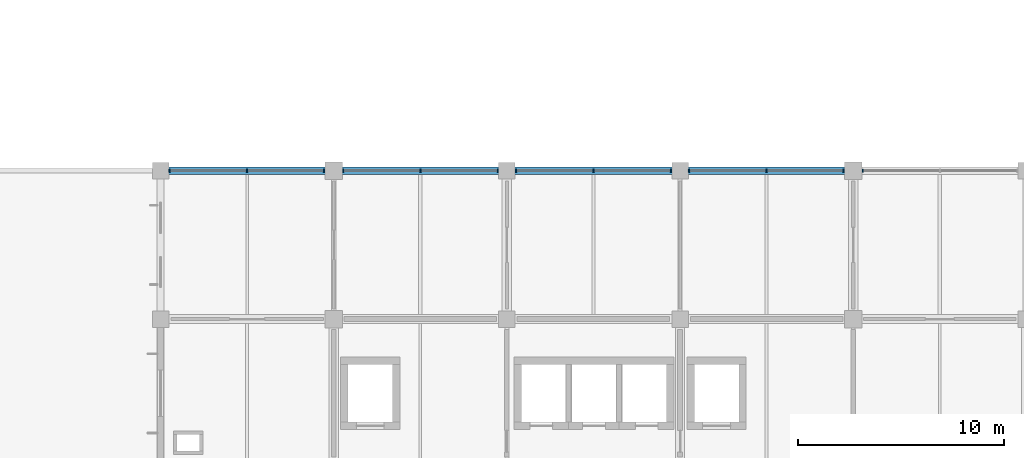
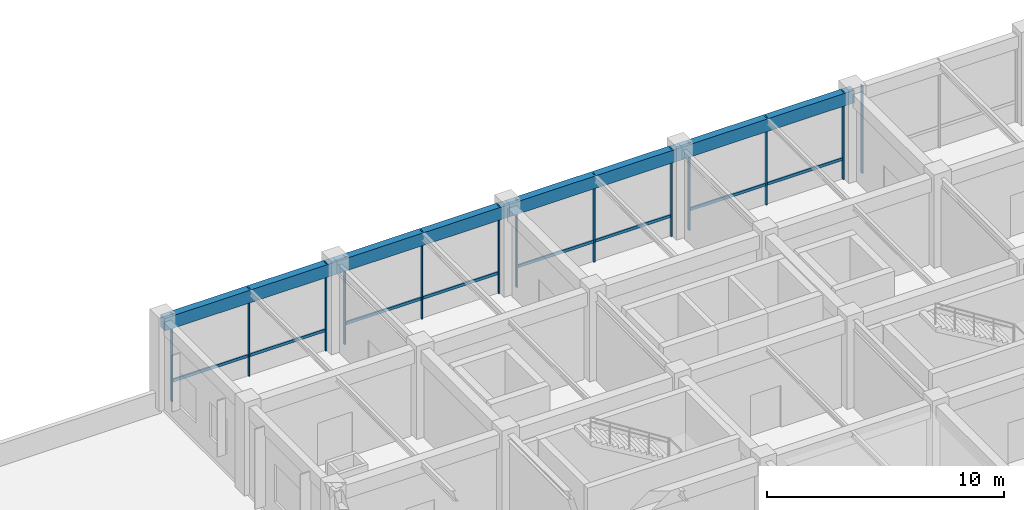
# One storey, part 34 of 45: 21 members, 4 beams, 5 elements without a shape of their own.
"""IFC4 building model written with IfcOpenShell, lengths in metres."""

from ifc_helpers import new_model, si_unit, derived_unit, direction, frame, origin, origin_2d, place, context, subcontext, project, spatial, rectangle, extrude, material, material_profile, profile_set, type_object, element, aggregate, save


model = new_model("IFC4")

# Units and contexts
model_context = context("Model", 3, precision=1e-05, world=origin(), true_north=direction((0.0, 1.0)))
body_context = subcontext(model_context, "Body", "Model", "MODEL_VIEW")
ifc_project = project(units=[si_unit("LENGTHUNIT", "METRE"), si_unit("AREAUNIT", "SQUARE_METRE"), si_unit("VOLUMEUNIT", "CUBIC_METRE"), si_unit("PLANEANGLEUNIT", "RADIAN"), si_unit("MASSUNIT", "GRAM", prefix="KILO"), derived_unit("THERMALTRANSMITTANCEUNIT", [(si_unit("MASSUNIT", "GRAM", prefix="KILO"), 1), (si_unit("TIMEUNIT", "SECOND"), -3), (si_unit("THERMODYNAMICTEMPERATUREUNIT", "KELVIN"), -1)])], contexts=[model_context])

# Site, building, storey
site_placement = place(None, origin())
site = spatial("IfcSite", under=ifc_project, at=site_placement, CompositionType="ELEMENT")
building_placement = place(site_placement, origin())
building = spatial("IfcBuilding", under=site, at=building_placement, Name="Veldstrom Oceanarium and Marine Research Institute", CompositionType="ELEMENT")
storey_placement = place(building_placement, frame((0.0, 0.0, 22.199951171875)))
storey = spatial("IfcBuildingStorey", under=building, at=storey_placement, Name="L04", CompositionType="ELEMENT", Elevation=22.199951171875)

# Curtain wall, members
ifc_material_1 = material(Name="Anodised Aluminium Framing", Category="aluminium")
curtain_wall_type = type_object("IfcCurtainWallType", Name="ARC-CW-CW03", PredefinedType="USERDEFINED", material=ifc_material_1)
curtain_wall_1_placement = place(storey_placement, origin())
curtain_wall_1 = element("IfcCurtainWall", 1, at=curtain_wall_1_placement, inside=storey, type_object=curtain_wall_type, Name="Curtain Wall CW03 CW-L04-079", ObjectType="Curtain wall", PredefinedType="USERDEFINED")
ifc_material_2 = material(Name="Anodised Aluminium Framing", Category="aluminium")
ifc_material_profile_1 = material_profile(ifc_material_2, rectangle(XDim=0.06494140625, YDim=0.14990234375, at=origin_2d()), Name="ALU-MUL-65x150")
ifc_profile_set_1 = profile_set([ifc_material_profile_1], Name="Anodised Aluminium Framing")
member_type_1 = type_object("IfcMemberType", Name="ARC-MUL-ML2", PredefinedType="MULLION", material=ifc_profile_set_1)
member_1_placement = place(storey_placement, frame((67.639892578125, 72.0, 0.0), z_axis=(0.0, 0.0, 1.0), x_axis=(1.0, 0.0, 0.0)))
member_1 = element("IfcMember", 2, at=member_1_placement, type_object=member_type_1, Name="Curtain Wall Mullion CW-L04-079-MUL-1", PredefinedType="MULLION", context=body_context, shape_type="SweptSolid", body=[
    extrude(rectangle(XDim=0.06494140625, YDim=0.14990234375, at=origin_2d()), origin(), (0.0, 0.0, 1.0), 4.52001953125),
])
member_2_placement = place(storey_placement, frame((71.387451171875, 72.0, 0.0), z_axis=(0.0, 0.0, 1.0), x_axis=(1.0, 0.0, 0.0)))
member_2 = element("IfcMember", 3, at=member_2_placement, type_object=member_type_1, Name="Curtain Wall Mullion CW-L04-079-MUL-2", PredefinedType="MULLION", context=body_context, shape_type="SweptSolid", body=[
    extrude(rectangle(XDim=0.06494140625, YDim=0.14990234375, at=origin_2d()), origin(), (0.0, 0.0, 1.0), 4.52001953125),
])
member_3_placement = place(storey_placement, frame((75.135009765625, 72.0, 0.0), z_axis=(0.0, 0.0, 1.0), x_axis=(1.0, 0.0, 0.0)))
member_3 = element("IfcMember", 4, at=member_3_placement, type_object=member_type_1, Name="Curtain Wall Mullion CW-L04-079-MUL-3", PredefinedType="MULLION", context=body_context, shape_type="SweptSolid", body=[
    extrude(rectangle(XDim=0.06494140625, YDim=0.14990234375, at=origin_2d()), origin(), (0.0, 0.0, 1.0), 4.52001953125),
])

curtain_wall_2_placement = place(storey_placement, origin())
curtain_wall_2 = element("IfcCurtainWall", 5, at=curtain_wall_2_placement, inside=storey, type_object=curtain_wall_type, Name="Curtain Wall CW03 CW-L04-081", ObjectType="Curtain wall", PredefinedType="USERDEFINED")
member_4_placement = place(storey_placement, frame((76.06494140625, 72.0, 0.0), z_axis=(0.0, 0.0, 1.0), x_axis=(1.0, 0.0, 0.0)))
member_4 = element("IfcMember", 6, at=member_4_placement, type_object=member_type_1, Name="Curtain Wall Mullion CW-L04-081-MUL-1", PredefinedType="MULLION", context=body_context, shape_type="SweptSolid", body=[
    extrude(rectangle(XDim=0.06494140625, YDim=0.14990234375, at=origin_2d()), origin(), (0.0, 0.0, 1.0), 4.52001953125),
])
member_5_placement = place(storey_placement, frame((79.8125, 72.0, 0.0), z_axis=(0.0, 0.0, 1.0), x_axis=(1.0, 0.0, 0.0)))
member_5 = element("IfcMember", 7, at=member_5_placement, type_object=member_type_1, Name="Curtain Wall Mullion CW-L04-081-MUL-2", PredefinedType="MULLION", context=body_context, shape_type="SweptSolid", body=[
    extrude(rectangle(XDim=0.06494140625, YDim=0.14990234375, at=origin_2d()), origin(), (0.0, 0.0, 1.0), 4.52001953125),
])
member_6_placement = place(storey_placement, frame((83.56005859375, 72.0, 0.0), z_axis=(0.0, 0.0, 1.0), x_axis=(1.0, 0.0, 0.0)))
member_6 = element("IfcMember", 8, at=member_6_placement, type_object=member_type_1, Name="Curtain Wall Mullion CW-L04-081-MUL-3", PredefinedType="MULLION", context=body_context, shape_type="SweptSolid", body=[
    extrude(rectangle(XDim=0.06494140625, YDim=0.14990234375, at=origin_2d()), origin(), (0.0, 0.0, 1.0), 4.52001953125),
])

curtain_wall_3_placement = place(storey_placement, origin())
curtain_wall_3 = element("IfcCurtainWall", 9, at=curtain_wall_3_placement, inside=storey, type_object=curtain_wall_type, Name="Curtain Wall CW03 CW-L04-083", ObjectType="Curtain wall", PredefinedType="USERDEFINED")
member_7_placement = place(storey_placement, frame((84.43994140625, 72.0, 0.0), z_axis=(0.0, 0.0, 1.0), x_axis=(1.0, 0.0, 0.0)))
member_7 = element("IfcMember", 10, at=member_7_placement, type_object=member_type_1, Name="Curtain Wall Mullion CW-L04-083-MUL-1", PredefinedType="MULLION", context=body_context, shape_type="SweptSolid", body=[
    extrude(rectangle(XDim=0.06494140625, YDim=0.14990234375, at=origin_2d()), origin(), (0.0, 0.0, 1.0), 4.52001953125),
])
member_8_placement = place(storey_placement, frame((88.199951171875, 72.0, 0.0), z_axis=(0.0, 0.0, 1.0), x_axis=(1.0, 0.0, 0.0)))
member_8 = element("IfcMember", 11, at=member_8_placement, type_object=member_type_1, Name="Curtain Wall Mullion CW-L04-083-MUL-2", PredefinedType="MULLION", context=body_context, shape_type="SweptSolid", body=[
    extrude(rectangle(XDim=0.06494140625, YDim=0.14990234375, at=origin_2d()), origin(), (0.0, 0.0, 1.0), 4.52001953125),
])
member_9_placement = place(storey_placement, frame((91.9599609375, 72.0, 0.0), z_axis=(0.0, 0.0, 1.0), x_axis=(1.0, 0.0, 0.0)))
member_9 = element("IfcMember", 12, at=member_9_placement, type_object=member_type_1, Name="Curtain Wall Mullion CW-L04-083-MUL-3", PredefinedType="MULLION", context=body_context, shape_type="SweptSolid", body=[
    extrude(rectangle(XDim=0.06494140625, YDim=0.14990234375, at=origin_2d()), origin(), (0.0, 0.0, 1.0), 4.52001953125),
])

curtain_wall_4_placement = place(storey_placement, origin())
curtain_wall_4 = element("IfcCurtainWall", 13, at=curtain_wall_4_placement, inside=storey, type_object=curtain_wall_type, Name="Curtain Wall CW03 CW-L04-085", ObjectType="Curtain wall", PredefinedType="USERDEFINED")
member_10_placement = place(storey_placement, frame((92.840087890625, 72.0, 0.0), z_axis=(0.0, 0.0, 1.0), x_axis=(1.0, 0.0, 0.0)))
member_10 = element("IfcMember", 14, at=member_10_placement, type_object=member_type_1, Name="Curtain Wall Mullion CW-L04-085-MUL-1", PredefinedType="MULLION", context=body_context, shape_type="SweptSolid", body=[
    extrude(rectangle(XDim=0.06494140625, YDim=0.14990234375, at=origin_2d()), origin(), (0.0, 0.0, 1.0), 4.52001953125),
])
member_11_placement = place(storey_placement, frame((96.58740234375, 72.0, 0.0), z_axis=(0.0, 0.0, 1.0), x_axis=(1.0, 0.0, 0.0)))
member_11 = element("IfcMember", 15, at=member_11_placement, type_object=member_type_1, Name="Curtain Wall Mullion CW-L04-085-MUL-2", PredefinedType="MULLION", context=body_context, shape_type="SweptSolid", body=[
    extrude(rectangle(XDim=0.06494140625, YDim=0.14990234375, at=origin_2d()), origin(), (0.0, 0.0, 1.0), 4.52001953125),
])
member_12_placement = place(storey_placement, frame((100.3349609375, 72.0, 0.0), z_axis=(0.0, 0.0, 1.0), x_axis=(1.0, 0.0, 0.0)))
member_12 = element("IfcMember", 16, at=member_12_placement, type_object=member_type_1, Name="Curtain Wall Mullion CW-L04-085-MUL-3", PredefinedType="MULLION", context=body_context, shape_type="SweptSolid", body=[
    extrude(rectangle(XDim=0.06494140625, YDim=0.14990234375, at=origin_2d()), origin(), (0.0, 0.0, 1.0), 4.52001953125),
])

# Curtain wall, member
curtain_wall_5_placement = place(storey_placement, origin())
curtain_wall_5 = element("IfcCurtainWall", 17, at=curtain_wall_5_placement, inside=storey, type_object=curtain_wall_type, Name="Curtain Wall CW03 CW-L04-087", ObjectType="Curtain wall", PredefinedType="USERDEFINED")
member_13_placement = place(storey_placement, frame((101.264892578125, 72.0, 0.0), z_axis=(0.0, 0.0, 1.0), x_axis=(1.0, 0.0, 0.0)))
member_13 = element("IfcMember", 18, at=member_13_placement, type_object=member_type_1, Name="Curtain Wall Mullion CW-L04-087-MUL-1", PredefinedType="MULLION", context=body_context, shape_type="SweptSolid", body=[
    extrude(rectangle(XDim=0.06494140625, YDim=0.14990234375, at=origin_2d()), origin(), (0.0, 0.0, 1.0), 4.52001953125),
])
aggregate(curtain_wall_5, [member_13])

# Member
ifc_material_3 = material(Name="Anodised Aluminium Framing", Category="aluminium")
ifc_material_profile_2 = material_profile(ifc_material_3, rectangle(XDim=0.074951171875, YDim=0.14990234375, at=origin_2d()), Name="ALU-TRN-75x150")
ifc_profile_set_2 = profile_set([ifc_material_profile_2], Name="Anodised Aluminium Framing")
member_type_2 = type_object("IfcMemberType", Name="ARC-TRN-TR1", PredefinedType="USERDEFINED", material=ifc_profile_set_2)
member_14_placement = place(storey_placement, frame((67.679931640625, 72.0, 1.050048828125), z_axis=(1.0, 0.0, 0.0), x_axis=(0.0, 1.0, 0.0)))
member_14 = element("IfcMember", 19, at=member_14_placement, type_object=member_type_2, Name="Curtain Wall Transom CW-L04-079-TRN-1", ObjectType="Transom", PredefinedType="USERDEFINED", context=body_context, shape_type="SweptSolid", body=[
    extrude(rectangle(XDim=0.074951171875, YDim=0.14990234375, at=origin_2d()), origin(), (0.0, 0.0, 1.0), 3.66748046875),
])

member_15_placement = place(storey_placement, frame((71.427490234375, 72.0, 1.050048828125), z_axis=(1.0, 0.0, 0.0), x_axis=(0.0, 1.0, 0.0)))
member_15 = element("IfcMember", 20, at=member_15_placement, type_object=member_type_2, Name="Curtain Wall Transom CW-L04-079-TRN-2", ObjectType="Transom", PredefinedType="USERDEFINED", context=body_context, shape_type="SweptSolid", body=[
    extrude(rectangle(XDim=0.074951171875, YDim=0.14990234375, at=origin_2d()), origin(), (0.0, 0.0, 1.0), 3.66748046875),
])

aggregate(curtain_wall_1, [member_1, member_2, member_3, member_14, member_15])

member_16_placement = place(storey_placement, frame((76.10498046875, 72.0, 1.050048828125), z_axis=(1.0, 0.0, 0.0), x_axis=(0.0, 1.0, 0.0)))
member_16 = element("IfcMember", 21, at=member_16_placement, type_object=member_type_2, Name="Curtain Wall Transom CW-L04-081-TRN-1", ObjectType="Transom", PredefinedType="USERDEFINED", context=body_context, shape_type="SweptSolid", body=[
    extrude(rectangle(XDim=0.074951171875, YDim=0.14990234375, at=origin_2d()), origin(), (0.0, 0.0, 1.0), 3.66748046875),
])

member_17_placement = place(storey_placement, frame((79.8525390625, 72.0, 1.050048828125), z_axis=(1.0, 0.0, 0.0), x_axis=(0.0, 1.0, 0.0)))
member_17 = element("IfcMember", 22, at=member_17_placement, type_object=member_type_2, Name="Curtain Wall Transom CW-L04-081-TRN-2", ObjectType="Transom", PredefinedType="USERDEFINED", context=body_context, shape_type="SweptSolid", body=[
    extrude(rectangle(XDim=0.074951171875, YDim=0.14990234375, at=origin_2d()), origin(), (0.0, 0.0, 1.0), 3.66748046875),
])

aggregate(curtain_wall_2, [member_4, member_5, member_6, member_16, member_17])

member_18_placement = place(storey_placement, frame((84.47998046875, 72.0, 1.050048828125), z_axis=(1.0, 0.0, 0.0), x_axis=(0.0, 1.0, 0.0)))
member_18 = element("IfcMember", 23, at=member_18_placement, type_object=member_type_2, Name="Curtain Wall Transom CW-L04-083-TRN-1", ObjectType="Transom", PredefinedType="USERDEFINED", context=body_context, shape_type="SweptSolid", body=[
    extrude(rectangle(XDim=0.074951171875, YDim=0.14990234375, at=origin_2d()), origin(), (0.0, 0.0, 1.0), 3.679931640625),
])

member_19_placement = place(storey_placement, frame((88.239990234375, 72.0, 1.050048828125), z_axis=(1.0, 0.0, 0.0), x_axis=(0.0, 1.0, 0.0)))
member_19 = element("IfcMember", 24, at=member_19_placement, type_object=member_type_2, Name="Curtain Wall Transom CW-L04-083-TRN-2", ObjectType="Transom", PredefinedType="USERDEFINED", context=body_context, shape_type="SweptSolid", body=[
    extrude(rectangle(XDim=0.074951171875, YDim=0.14990234375, at=origin_2d()), origin(), (0.0, 0.0, 1.0), 3.679931640625),
])

aggregate(curtain_wall_3, [member_7, member_8, member_9, member_18, member_19])

member_20_placement = place(storey_placement, frame((92.8798828125, 72.0, 1.050048828125), z_axis=(1.0, 0.0, 0.0), x_axis=(0.0, 1.0, 0.0)))
member_20 = element("IfcMember", 25, at=member_20_placement, type_object=member_type_2, Name="Curtain Wall Transom CW-L04-085-TRN-1", ObjectType="Transom", PredefinedType="USERDEFINED", context=body_context, shape_type="SweptSolid", body=[
    extrude(rectangle(XDim=0.074951171875, YDim=0.14990234375, at=origin_2d()), origin(), (0.0, 0.0, 1.0), 3.667724609375),
])

member_21_placement = place(storey_placement, frame((96.62744140625, 72.0, 1.050048828125), z_axis=(1.0, 0.0, 0.0), x_axis=(0.0, 1.0, 0.0)))
member_21 = element("IfcMember", 26, at=member_21_placement, type_object=member_type_2, Name="Curtain Wall Transom CW-L04-085-TRN-2", ObjectType="Transom", PredefinedType="USERDEFINED", context=body_context, shape_type="SweptSolid", body=[
    extrude(rectangle(XDim=0.074951171875, YDim=0.14990234375, at=origin_2d()), origin(), (0.0, 0.0, 1.0), 3.66748046875),
])

aggregate(curtain_wall_4, [member_10, member_11, member_12, member_20, member_21])

# Beams
ifc_material_4 = material(Name="Concrete C40/50", Category="concrete")
ifc_material_profile_3 = material_profile(ifc_material_4, rectangle(XDim=0.35009765625, YDim=0.64990234375, at=origin_2d()), Name="RC-SPN-350x650")
ifc_profile_set_3 = profile_set([ifc_material_profile_3], Name="Concrete C40/50")
beam_type = type_object("IfcBeamType", Name="STR-SPN-SP1", PredefinedType="SPANDREL", material=ifc_profile_set_3)
beam_1_placement = place(storey_placement, frame((67.199951171875, 72.0, 4.18994140625), z_axis=(1.0, 0.0, 0.0), x_axis=(0.0, 1.0, 0.0)))
element("IfcBeam", 27, at=beam_1_placement, inside=storey, type_object=beam_type, Name="Perimeter Spandrel SPB1 L04-2099", PredefinedType="SPANDREL", context=body_context, shape_type="SweptSolid", body=[
    extrude(rectangle(XDim=0.35009765625, YDim=0.64990234375, at=origin_2d()), origin(), (0.0, 0.0, 1.0), 8.400146484375),
])
for number, where, z_axis, x_axis, name in (
    (28, (75.60009765625, 72.0, 4.18994140625), (1.0, 0.0, 0.0), (0.0, 1.0, 0.0), "Perimeter Spandrel SPB1 L04-2104"),
    (29, (84.0, 72.0, 4.18994140625), (1.0, 0.0, 0.0), (0.0, 1.0, 0.0), "Perimeter Spandrel SPB1 L04-2109"),
):
    element("IfcBeam", number, at=place(storey_placement, frame(where, z_axis=z_axis, x_axis=x_axis)), inside=storey, type_object=beam_type, Name=name, PredefinedType="SPANDREL", context=body_context, shape_type="SweptSolid", body=[
        extrude(rectangle(XDim=0.35009765625, YDim=0.64990234375, at=origin_2d()), origin(), (0.0, 0.0, 1.0), 8.39990234375),
    ])
beam_2_placement = place(storey_placement, frame((92.39990234375, 72.0, 4.18994140625), z_axis=(1.0, 0.0, 0.0), x_axis=(0.0, 1.0, 0.0)))
element("IfcBeam", 30, at=beam_2_placement, inside=storey, type_object=beam_type, Name="Perimeter Spandrel SPB1 L04-2114", PredefinedType="SPANDREL", context=body_context, shape_type="SweptSolid", body=[
    extrude(rectangle(XDim=0.35009765625, YDim=0.64990234375, at=origin_2d()), origin(), (0.0, 0.0, 1.0), 8.400146484375),
])

save(model, "model.ifc")
